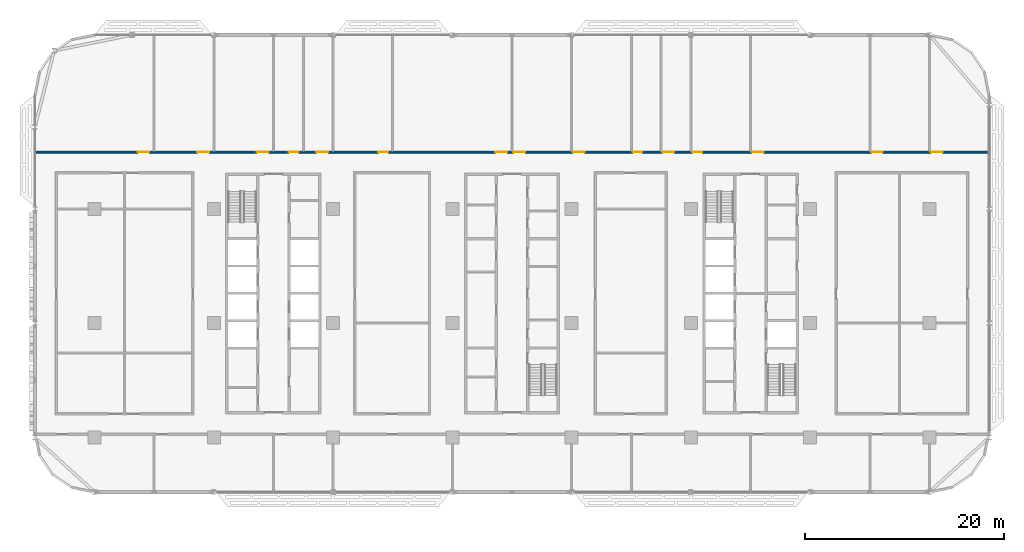
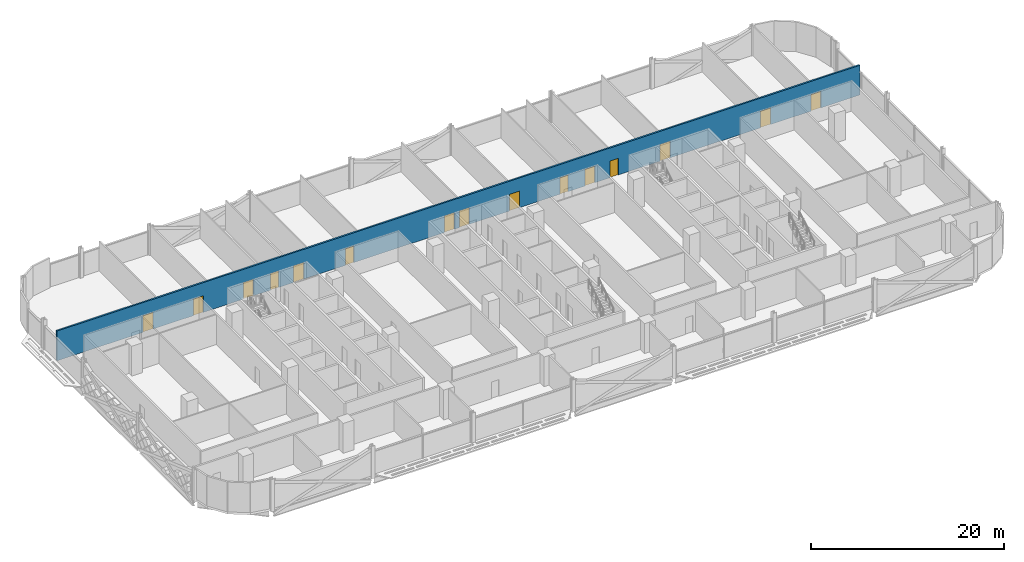
# One storey, part 16 of 28: 15 doors, 1 wall, 15 openings.
"""IFC4 building model written with IfcOpenShell, lengths in metres."""

from ifc_helpers import new_model, si_unit, direction, frame, frame_2d, origin, place, context, subcontext, project, spatial, rectangle, extrude, material, layer, layer_set, type_object, element, fill, save


model = new_model("IFC4")

# Units and contexts
model_context = context("Model", 3, precision=1e-05, world=origin(), true_north=direction((0.0, 1.0)))
body_context = subcontext(model_context, "Body", "Model", "MODEL_VIEW")
ifc_project = project(units=[si_unit("LENGTHUNIT", "METRE"), si_unit("AREAUNIT", "SQUARE_METRE"), si_unit("VOLUMEUNIT", "CUBIC_METRE"), si_unit("PLANEANGLEUNIT", "RADIAN"), si_unit("MASSUNIT", "GRAM", prefix="KILO")], contexts=[model_context])

# Site, building, storey
site_placement = place(None, origin())
site = spatial("IfcSite", under=ifc_project, at=site_placement, CompositionType="ELEMENT")
building_placement = place(site_placement, origin())
building = spatial("IfcBuilding", under=site, at=building_placement, Name="Mahtab Terrace Research Tower", CompositionType="ELEMENT")
storey_placement = place(building_placement, frame((0.0, 0.0, 134.300048828125)))
storey = spatial("IfcBuildingStorey", under=building, at=storey_placement, Name="L31", CompositionType="ELEMENT", Elevation=134.300048828125)

# Wall, openings, doors
ifc_material_1 = material(Name="Gypsum board corridor wall on steel studs", Category="steel")
ifc_layer = layer(ifc_material_1, 0.199951171875)
ifc_layer_set = layer_set([ifc_layer], Name="WALL CORRIDOR 200")
wall_type = type_object("IfcWallType", Name="WALL CORRIDOR 200", PredefinedType="PARTITIONING", material=ifc_layer_set)
wall_placement = place(storey_placement, frame((-47.97509765625, 17.199951171875, 0.0), z_axis=(0.0, 0.0, 1.0), x_axis=(1.0, 0.0, 0.0)))
wall = element("IfcWall", 1, at=wall_placement, inside=storey, type_object=wall_type, Name="L31-W026", PredefinedType="PARTITIONING", context=body_context, shape_type="SweptSolid", body=[
    extrude(rectangle(XDim=95.9501953125, YDim=0.199951171875, at=frame_2d((47.97509765625, 0.0))), origin(), (0.0, 0.0, 1.0), 3.760009765625),
])
opening_1_placement = place(wall_placement, frame((10.300048828125, 0.0, 0.0)))
opening_1 = element("IfcOpeningElement", 2, at=opening_1_placement, cuts=wall, Name="Opening L31-126", PredefinedType="OPENING", context=body_context, shape_type="SweptSolid", body=[
    extrude(rectangle(XDim=1.199951171875, YDim=2.10009765625, at=frame_2d((0.60009765625, 1.050048828125))), frame((0.0, 0.10986328125, 0.0), z_axis=(0.0, -1.0, 0.0), x_axis=(1.0, 0.0, 0.0)), (0.0, 0.0, 1.0), 0.219970703125),
])
opening_2_placement = place(wall_placement, frame((16.300048828125, 0.0, 0.0)))
opening_2 = element("IfcOpeningElement", 3, at=opening_2_placement, cuts=wall, Name="Opening L31-127", PredefinedType="OPENING", context=body_context, shape_type="SweptSolid", body=[
    extrude(rectangle(XDim=1.199951171875, YDim=2.10009765625, at=frame_2d((0.60009765625, 1.050048828125))), frame((0.0, 0.10986328125, 0.0), z_axis=(0.0, -1.0, 0.0), x_axis=(1.0, 0.0, 0.0)), (0.0, 0.0, 1.0), 0.219970703125),
])
opening_3_placement = place(wall_placement, frame((22.300048828125, 0.0, 0.0)))
opening_3 = element("IfcOpeningElement", 4, at=opening_3_placement, cuts=wall, Name="Opening L31-128", PredefinedType="OPENING", context=body_context, shape_type="SweptSolid", body=[
    extrude(rectangle(XDim=1.199951171875, YDim=2.10009765625, at=frame_2d((0.60009765625, 1.050048828125))), frame((0.0, 0.10986328125, 0.0), z_axis=(0.0, -1.0, 0.0), x_axis=(1.0, 0.0, 0.0)), (0.0, 0.0, 1.0), 0.219970703125),
])
opening_4_placement = place(wall_placement, frame((25.5, 0.0, 0.0)))
opening_4 = element("IfcOpeningElement", 5, at=opening_4_placement, cuts=wall, Name="Opening L31-129", PredefinedType="OPENING", context=body_context, shape_type="SweptSolid", body=[
    extrude(rectangle(XDim=1.0, YDim=2.10009765625, at=frame_2d((0.5, 1.050048828125))), frame((0.0, 0.10986328125, 0.0), z_axis=(0.0, -1.0, 0.0), x_axis=(1.0, 0.0, 0.0)), (0.0, 0.0, 1.0), 0.219970703125),
])
opening_5_placement = place(wall_placement, frame((28.300048828125, 0.0, 0.0)))
opening_5 = element("IfcOpeningElement", 6, at=opening_5_placement, cuts=wall, Name="Opening L31-130", PredefinedType="OPENING", context=body_context, shape_type="SweptSolid", body=[
    extrude(rectangle(XDim=1.199951171875, YDim=2.10009765625, at=frame_2d((0.60009765625, 1.050048828125))), frame((0.0, 0.10986328125, 0.0), z_axis=(0.0, -1.0, 0.0), x_axis=(1.0, 0.0, 0.0)), (0.0, 0.0, 1.0), 0.219970703125),
])
opening_6_placement = place(wall_placement, frame((34.5, 0.0, 0.0)))
opening_6 = element("IfcOpeningElement", 7, at=opening_6_placement, cuts=wall, Name="Opening L31-131", PredefinedType="OPENING", context=body_context, shape_type="SweptSolid", body=[
    extrude(rectangle(XDim=1.0, YDim=2.10009765625, at=frame_2d((0.5, 1.050048828125))), frame((0.0, 0.10986328125, 0.0), z_axis=(0.0, -1.0, 0.0), x_axis=(1.0, 0.0, 0.0)), (0.0, 0.0, 1.0), 0.219970703125),
])
opening_7_placement = place(wall_placement, frame((46.300048828125, 0.0, 0.0)))
opening_7 = element("IfcOpeningElement", 8, at=opening_7_placement, cuts=wall, Name="Opening L31-132", PredefinedType="OPENING", context=body_context, shape_type="SweptSolid", body=[
    extrude(rectangle(XDim=1.199951171875, YDim=2.10009765625, at=frame_2d((0.60009765625, 1.050048828125))), frame((0.0, 0.10986328125, 0.0), z_axis=(0.0, -1.0, 0.0), x_axis=(1.0, 0.0, 0.0)), (0.0, 0.0, 1.0), 0.219970703125),
])
opening_8_placement = place(wall_placement, frame((48.10009765625, 0.0, 0.0)))
opening_8 = element("IfcOpeningElement", 9, at=opening_8_placement, cuts=wall, Name="Opening L31-133", PredefinedType="OPENING", context=body_context, shape_type="SweptSolid", body=[
    extrude(rectangle(XDim=1.199951171875, YDim=2.10009765625, at=frame_2d((0.60009765625, 1.050048828125))), frame((0.0, 0.10986328125, 0.0), z_axis=(0.0, -1.0, 0.0), x_axis=(1.0, 0.0, 0.0)), (0.0, 0.0, 1.0), 0.219970703125),
])
opening_9_placement = place(wall_placement, frame((54.10009765625, 0.0, 0.0)))
opening_9 = element("IfcOpeningElement", 10, at=opening_9_placement, cuts=wall, Name="Opening L31-134", PredefinedType="OPENING", context=body_context, shape_type="SweptSolid", body=[
    extrude(rectangle(XDim=1.199951171875, YDim=2.10009765625, at=frame_2d((0.60009765625, 1.050048828125))), frame((0.0, 0.10986328125, 0.0), z_axis=(0.0, -1.0, 0.0), x_axis=(1.0, 0.0, 0.0)), (0.0, 0.0, 1.0), 0.219970703125),
])
opening_10_placement = place(wall_placement, frame((60.10009765625, 0.0, 0.0)))
opening_10 = element("IfcOpeningElement", 11, at=opening_10_placement, cuts=wall, Name="Opening L31-135", PredefinedType="OPENING", context=body_context, shape_type="SweptSolid", body=[
    extrude(rectangle(XDim=1.0, YDim=2.10009765625, at=frame_2d((0.5, 1.050048828125))), frame((0.0, 0.10986328125, 0.0), z_axis=(0.0, -1.0, 0.0), x_axis=(1.0, 0.0, 0.0)), (0.0, 0.0, 1.0), 0.219970703125),
])
opening_11_placement = place(wall_placement, frame((63.10009765625, 0.0, 0.0)))
opening_11 = element("IfcOpeningElement", 12, at=opening_11_placement, cuts=wall, Name="Opening L31-136", PredefinedType="OPENING", context=body_context, shape_type="SweptSolid", body=[
    extrude(rectangle(XDim=1.199951171875, YDim=2.10009765625, at=frame_2d((0.60009765625, 1.050048828125))), frame((0.0, 0.10986328125, 0.0), z_axis=(0.0, -1.0, 0.0), x_axis=(1.0, 0.0, 0.0)), (0.0, 0.0, 1.0), 0.219970703125),
])
opening_12_placement = place(wall_placement, frame((66.10009765625, 0.0, 0.0)))
opening_12 = element("IfcOpeningElement", 13, at=opening_12_placement, cuts=wall, Name="Opening L31-137", PredefinedType="OPENING", context=body_context, shape_type="SweptSolid", body=[
    extrude(rectangle(XDim=1.0, YDim=2.10009765625, at=frame_2d((0.5, 1.050048828125))), frame((0.0, 0.10986328125, 0.0), z_axis=(0.0, -1.0, 0.0), x_axis=(1.0, 0.0, 0.0)), (0.0, 0.0, 1.0), 0.219970703125),
])
opening_13_placement = place(wall_placement, frame((72.10009765625, 0.0, 0.0)))
opening_13 = element("IfcOpeningElement", 14, at=opening_13_placement, cuts=wall, Name="Opening L31-138", PredefinedType="OPENING", context=body_context, shape_type="SweptSolid", body=[
    extrude(rectangle(XDim=1.199951171875, YDim=2.10009765625, at=frame_2d((0.60009765625, 1.050048828125))), frame((0.0, 0.10986328125, 0.0), z_axis=(0.0, -1.0, 0.0), x_axis=(1.0, 0.0, 0.0)), (0.0, 0.0, 1.0), 0.219970703125),
])
opening_14_placement = place(wall_placement, frame((84.10009765625, 0.0, 0.0)))
opening_14 = element("IfcOpeningElement", 15, at=opening_14_placement, cuts=wall, Name="Opening L31-139", PredefinedType="OPENING", context=body_context, shape_type="SweptSolid", body=[
    extrude(rectangle(XDim=1.199951171875, YDim=2.10009765625, at=frame_2d((0.60009765625, 1.050048828125))), frame((0.0, 0.10986328125, 0.0), z_axis=(0.0, -1.0, 0.0), x_axis=(1.0, 0.0, 0.0)), (0.0, 0.0, 1.0), 0.219970703125),
])
opening_15_placement = place(wall_placement, frame((90.10009765625, 0.0, 0.0)))
opening_15 = element("IfcOpeningElement", 16, at=opening_15_placement, cuts=wall, Name="Opening L31-140", PredefinedType="OPENING", context=body_context, shape_type="SweptSolid", body=[
    extrude(rectangle(XDim=1.199951171875, YDim=2.10009765625, at=frame_2d((0.60009765625, 1.050048828125))), frame((0.0, 0.10986328125, 0.0), z_axis=(0.0, -1.0, 0.0), x_axis=(1.0, 0.0, 0.0)), (0.0, 0.0, 1.0), 0.219970703125),
])
ifc_material_2 = material(Name="Timber door leaf in steel frame", Category="steel")
door_type_1 = type_object("IfcDoorType", Name="DOOR 1000X2100 FD30S", OperationType="SINGLE_SWING_LEFT", PredefinedType="DOOR", material=ifc_material_2)
door_1_placement = place(opening_4_placement, origin())
door_1 = element("IfcDoor", 17, at=door_1_placement, inside=storey, type_object=door_type_1, Name="Door L31-129", OperationType="SINGLE_SWING_LEFT", OverallHeight=2.10009765625, OverallWidth=1.0, PredefinedType="DOOR", context=body_context, shape_type="SweptSolid", body=[
    extrude(rectangle(XDim=1.0, YDim=2.10009765625, at=frame_2d((0.5, 1.050048828125))), frame((0.0, 0.02490234375, 0.0), z_axis=(0.0, -1.0, 0.0), x_axis=(1.0, 0.0, 0.0)), (0.0, 0.0, 1.0), 0.050048828125),
])
fill(opening_4, door_1)
door_2_placement = place(opening_6_placement, origin())
door_2 = element("IfcDoor", 18, at=door_2_placement, inside=storey, type_object=door_type_1, Name="Door L31-131", OperationType="SINGLE_SWING_LEFT", OverallHeight=2.10009765625, OverallWidth=1.0, PredefinedType="DOOR", context=body_context, shape_type="SweptSolid", body=[
    extrude(rectangle(XDim=1.0, YDim=2.10009765625, at=frame_2d((0.5, 1.050048828125))), frame((0.0, 0.02490234375, 0.0), z_axis=(0.0, -1.0, 0.0), x_axis=(1.0, 0.0, 0.0)), (0.0, 0.0, 1.0), 0.050048828125),
])
fill(opening_6, door_2)
door_3_placement = place(opening_10_placement, origin())
door_3 = element("IfcDoor", 19, at=door_3_placement, inside=storey, type_object=door_type_1, Name="Door L31-135", OperationType="SINGLE_SWING_RIGHT", OverallHeight=2.10009765625, OverallWidth=1.0, PredefinedType="DOOR", context=body_context, shape_type="SweptSolid", body=[
    extrude(rectangle(XDim=1.0, YDim=2.10009765625, at=frame_2d((0.5, 1.050048828125))), frame((0.0, 0.02490234375, 0.0), z_axis=(0.0, -1.0, 0.0), x_axis=(1.0, 0.0, 0.0)), (0.0, 0.0, 1.0), 0.050048828125),
])
fill(opening_10, door_3)
door_4_placement = place(opening_12_placement, origin())
door_4 = element("IfcDoor", 20, at=door_4_placement, inside=storey, type_object=door_type_1, Name="Door L31-137", OperationType="SINGLE_SWING_RIGHT", OverallHeight=2.10009765625, OverallWidth=1.0, PredefinedType="DOOR", context=body_context, shape_type="SweptSolid", body=[
    extrude(rectangle(XDim=1.0, YDim=2.10009765625, at=frame_2d((0.5, 1.050048828125))), frame((0.0, 0.02490234375, 0.0), z_axis=(0.0, -1.0, 0.0), x_axis=(1.0, 0.0, 0.0)), (0.0, 0.0, 1.0), 0.050048828125),
])
fill(opening_12, door_4)
door_type_2 = type_object("IfcDoorType", Name="DOOR 1200X2100 FD30S", OperationType="SINGLE_SWING_LEFT", PredefinedType="DOOR", material=ifc_material_2)
door_5_placement = place(opening_1_placement, origin())
door_5 = element("IfcDoor", 21, at=door_5_placement, inside=storey, type_object=door_type_2, Name="Door L31-126", OperationType="SINGLE_SWING_LEFT", OverallHeight=2.10009765625, OverallWidth=1.199951171875, PredefinedType="DOOR", context=body_context, shape_type="SweptSolid", body=[
    extrude(rectangle(XDim=1.199951171875, YDim=2.10009765625, at=frame_2d((0.60009765625, 1.050048828125))), frame((0.0, 0.02490234375, 0.0), z_axis=(0.0, -1.0, 0.0), x_axis=(1.0, 0.0, 0.0)), (0.0, 0.0, 1.0), 0.050048828125),
])
fill(opening_1, door_5)
door_6_placement = place(opening_2_placement, origin())
door_6 = element("IfcDoor", 22, at=door_6_placement, inside=storey, type_object=door_type_2, Name="Door L31-127", OperationType="SINGLE_SWING_LEFT", OverallHeight=2.10009765625, OverallWidth=1.199951171875, PredefinedType="DOOR", context=body_context, shape_type="SweptSolid", body=[
    extrude(rectangle(XDim=1.199951171875, YDim=2.10009765625, at=frame_2d((0.60009765625, 1.050048828125))), frame((0.0, 0.02490234375, 0.0), z_axis=(0.0, -1.0, 0.0), x_axis=(1.0, 0.0, 0.0)), (0.0, 0.0, 1.0), 0.050048828125),
])
fill(opening_2, door_6)
door_7_placement = place(opening_3_placement, origin())
door_7 = element("IfcDoor", 23, at=door_7_placement, inside=storey, type_object=door_type_2, Name="Door L31-128", OperationType="SINGLE_SWING_LEFT", OverallHeight=2.10009765625, OverallWidth=1.199951171875, PredefinedType="DOOR", context=body_context, shape_type="SweptSolid", body=[
    extrude(rectangle(XDim=1.199951171875, YDim=2.10009765625, at=frame_2d((0.60009765625, 1.050048828125))), frame((0.0, 0.02490234375, 0.0), z_axis=(0.0, -1.0, 0.0), x_axis=(1.0, 0.0, 0.0)), (0.0, 0.0, 1.0), 0.050048828125),
])
fill(opening_3, door_7)
door_8_placement = place(opening_5_placement, origin())
door_8 = element("IfcDoor", 24, at=door_8_placement, inside=storey, type_object=door_type_2, Name="Door L31-130", OperationType="SINGLE_SWING_LEFT", OverallHeight=2.10009765625, OverallWidth=1.199951171875, PredefinedType="DOOR", context=body_context, shape_type="SweptSolid", body=[
    extrude(rectangle(XDim=1.199951171875, YDim=2.10009765625, at=frame_2d((0.60009765625, 1.050048828125))), frame((0.0, 0.02490234375, 0.0), z_axis=(0.0, -1.0, 0.0), x_axis=(1.0, 0.0, 0.0)), (0.0, 0.0, 1.0), 0.050048828125),
])
fill(opening_5, door_8)
door_9_placement = place(opening_7_placement, origin())
door_9 = element("IfcDoor", 25, at=door_9_placement, inside=storey, type_object=door_type_2, Name="Door L31-132", OperationType="SINGLE_SWING_LEFT", OverallHeight=2.10009765625, OverallWidth=1.199951171875, PredefinedType="DOOR", context=body_context, shape_type="SweptSolid", body=[
    extrude(rectangle(XDim=1.199951171875, YDim=2.10009765625, at=frame_2d((0.60009765625, 1.050048828125))), frame((0.0, 0.02490234375, 0.0), z_axis=(0.0, -1.0, 0.0), x_axis=(1.0, 0.0, 0.0)), (0.0, 0.0, 1.0), 0.050048828125),
])
fill(opening_7, door_9)
door_10_placement = place(opening_8_placement, origin())
door_10 = element("IfcDoor", 26, at=door_10_placement, inside=storey, type_object=door_type_2, Name="Door L31-133", OperationType="SINGLE_SWING_RIGHT", OverallHeight=2.10009765625, OverallWidth=1.199951171875, PredefinedType="DOOR", context=body_context, shape_type="SweptSolid", body=[
    extrude(rectangle(XDim=1.199951171875, YDim=2.10009765625, at=frame_2d((0.60009765625, 1.050048828125))), frame((0.0, 0.02490234375, 0.0), z_axis=(0.0, -1.0, 0.0), x_axis=(1.0, 0.0, 0.0)), (0.0, 0.0, 1.0), 0.050048828125),
])
fill(opening_8, door_10)
door_11_placement = place(opening_9_placement, origin())
door_11 = element("IfcDoor", 27, at=door_11_placement, inside=storey, type_object=door_type_2, Name="Door L31-134", OperationType="SINGLE_SWING_RIGHT", OverallHeight=2.10009765625, OverallWidth=1.199951171875, PredefinedType="DOOR", context=body_context, shape_type="SweptSolid", body=[
    extrude(rectangle(XDim=1.199951171875, YDim=2.10009765625, at=frame_2d((0.60009765625, 1.050048828125))), frame((0.0, 0.02490234375, 0.0), z_axis=(0.0, -1.0, 0.0), x_axis=(1.0, 0.0, 0.0)), (0.0, 0.0, 1.0), 0.050048828125),
])
fill(opening_9, door_11)
door_12_placement = place(opening_11_placement, origin())
door_12 = element("IfcDoor", 28, at=door_12_placement, inside=storey, type_object=door_type_2, Name="Door L31-136", OperationType="SINGLE_SWING_RIGHT", OverallHeight=2.10009765625, OverallWidth=1.199951171875, PredefinedType="DOOR", context=body_context, shape_type="SweptSolid", body=[
    extrude(rectangle(XDim=1.199951171875, YDim=2.10009765625, at=frame_2d((0.60009765625, 1.050048828125))), frame((0.0, 0.02490234375, 0.0), z_axis=(0.0, -1.0, 0.0), x_axis=(1.0, 0.0, 0.0)), (0.0, 0.0, 1.0), 0.050048828125),
])
fill(opening_11, door_12)
door_13_placement = place(opening_13_placement, origin())
door_13 = element("IfcDoor", 29, at=door_13_placement, inside=storey, type_object=door_type_2, Name="Door L31-138", OperationType="SINGLE_SWING_RIGHT", OverallHeight=2.10009765625, OverallWidth=1.199951171875, PredefinedType="DOOR", context=body_context, shape_type="SweptSolid", body=[
    extrude(rectangle(XDim=1.199951171875, YDim=2.10009765625, at=frame_2d((0.60009765625, 1.050048828125))), frame((0.0, 0.02490234375, 0.0), z_axis=(0.0, -1.0, 0.0), x_axis=(1.0, 0.0, 0.0)), (0.0, 0.0, 1.0), 0.050048828125),
])
fill(opening_13, door_13)
door_14_placement = place(opening_14_placement, origin())
door_14 = element("IfcDoor", 30, at=door_14_placement, inside=storey, type_object=door_type_2, Name="Door L31-139", OperationType="SINGLE_SWING_RIGHT", OverallHeight=2.10009765625, OverallWidth=1.199951171875, PredefinedType="DOOR", context=body_context, shape_type="SweptSolid", body=[
    extrude(rectangle(XDim=1.199951171875, YDim=2.10009765625, at=frame_2d((0.60009765625, 1.050048828125))), frame((0.0, 0.02490234375, 0.0), z_axis=(0.0, -1.0, 0.0), x_axis=(1.0, 0.0, 0.0)), (0.0, 0.0, 1.0), 0.050048828125),
])
fill(opening_14, door_14)
door_15_placement = place(opening_15_placement, origin())
door_15 = element("IfcDoor", 31, at=door_15_placement, inside=storey, type_object=door_type_2, Name="Door L31-140", OperationType="SINGLE_SWING_RIGHT", OverallHeight=2.10009765625, OverallWidth=1.199951171875, PredefinedType="DOOR", context=body_context, shape_type="SweptSolid", body=[
    extrude(rectangle(XDim=1.199951171875, YDim=2.10009765625, at=frame_2d((0.60009765625, 1.050048828125))), frame((0.0, 0.02490234375, 0.0), z_axis=(0.0, -1.0, 0.0), x_axis=(1.0, 0.0, 0.0)), (0.0, 0.0, 1.0), 0.050048828125),
])
fill(opening_15, door_15)

save(model, "model.ifc")
